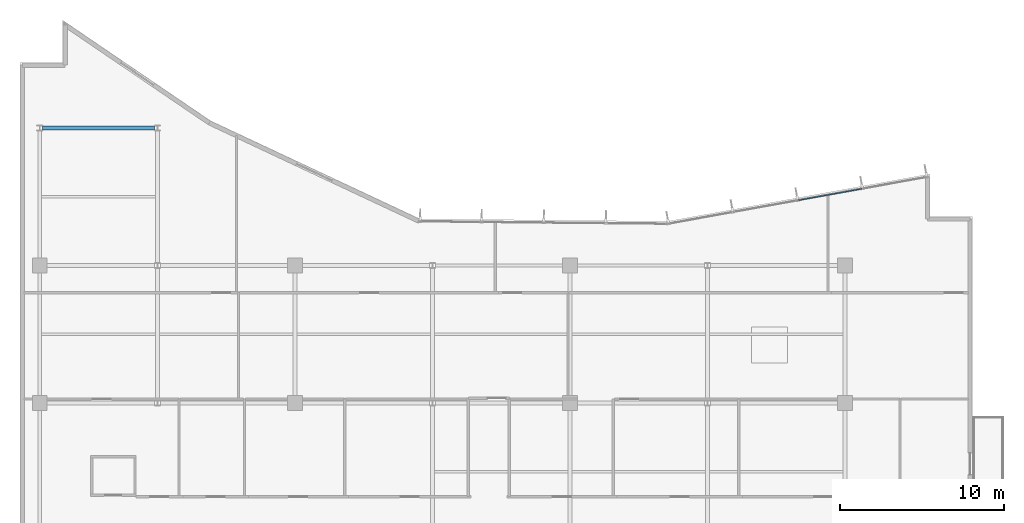
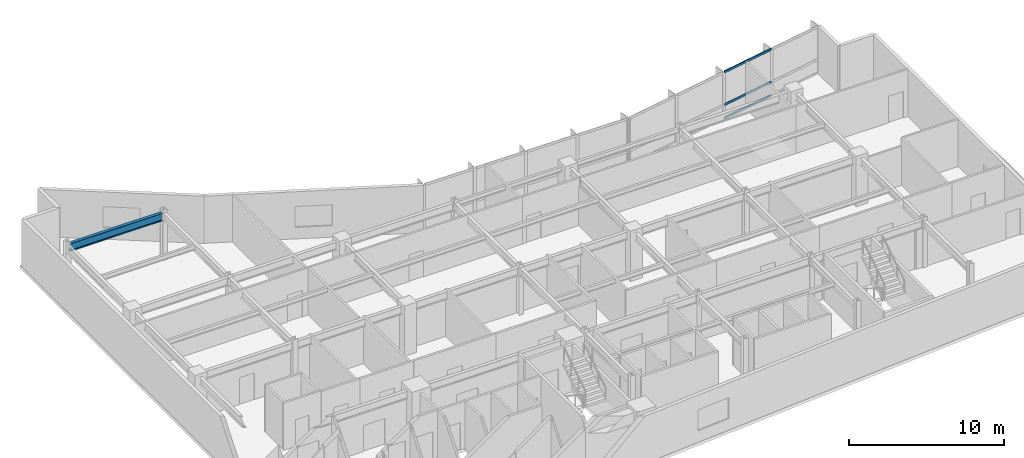
# One storey, part 7 of 18: 3 members, 1 beam, 1 element without a shape of its own.
"""IFC4 building model written with IfcOpenShell, lengths in metres."""

from ifc_helpers import new_model, si_unit, direction, frame, origin, origin_2d, place, context, subcontext, project, spatial, hollow_rectangle, i_section, extrude, material, layer, layer_set, material_profile, profile_set, type_object, element, aggregate, save


model = new_model("IFC4")

# Units and contexts
model_context = context("Model", 3, precision=1e-05, world=origin(), true_north=direction((0.0, 1.0)))
body_context = subcontext(model_context, "Body", "Model", "MODEL_VIEW")
ifc_project = project(units=[si_unit("LENGTHUNIT", "METRE"), si_unit("AREAUNIT", "SQUARE_METRE"), si_unit("VOLUMEUNIT", "CUBIC_METRE"), si_unit("PLANEANGLEUNIT", "RADIAN"), si_unit("MASSUNIT", "GRAM", prefix="KILO")], contexts=[model_context])

# Site, building, storey
site_placement = place(None, origin())
site = spatial("IfcSite", under=ifc_project, at=site_placement, CompositionType="ELEMENT")
building_placement = place(site_placement, origin())
building = spatial("IfcBuilding", under=site, at=building_placement, Name="Varnakote Quay Hospital", CompositionType="ELEMENT")
storey_placement = place(building_placement, frame((0.0, 0.0, 30.39990234375)))
storey = spatial("IfcBuildingStorey", under=building, at=storey_placement, Name="L07", CompositionType="ELEMENT", Elevation=30.39990234375)

# Beam
ifc_material_1 = material(Name="Structural steel AS/NZS 3679.1 Grade 350 L0 (fy 340 MPa)", Category="steel")
ifc_material_profile_1 = material_profile(ifc_material_1, i_section(OverallWidth=0.22900390625, OverallDepth=0.612060546875, WebThickness=0.011962890625, FlangeThickness=0.01953125, FilletRadius=0.013916015625, at=origin_2d()), Name="610UB125")
ifc_profile_set_1 = profile_set([ifc_material_profile_1], Name="Structural steel AS/NZS 3679.1 Grade 350 L0 (fy 340 MPa)")
beam_type = type_object("IfcBeamType", Name="BM-STL-610UB125", PredefinedType="BEAM", material=ifc_profile_set_1)
beam_placement = place(storey_placement, frame((1.375, 37.199951171875, 3.404052734375), z_axis=(1.0, 0.0, 0.0), x_axis=(0.0, 1.0, 0.0)))
element("IfcBeam", 1, at=beam_placement, inside=storey, type_object=beam_type, Name="L07 Primary Floor Beam", PredefinedType="BEAM", context=body_context, shape_type="SweptSolid", body=[
    extrude(i_section(OverallWidth=0.22900390625, OverallDepth=0.612060546875, WebThickness=0.011962890625, FlangeThickness=0.01953125, FilletRadius=0.013916015625, at=origin_2d()), origin(), (0.0, 0.0, 1.0), 6.85009765625),
])

# Curtain wall, members
ifc_material_2 = material(Name="Anodised aluminium 6063-T6 Bronze", Category="aluminium")
ifc_layer = layer(ifc_material_2, 0.18994140625)
ifc_layer_set = layer_set([ifc_layer], Name="Anodised aluminium 6063-T6 Bronze")
curtain_wall_type = type_object("IfcCurtainWallType", Name="CW-SYS-2", PredefinedType="NOTDEFINED", material=ifc_layer_set)
curtain_wall_placement = place(storey_placement, origin())
curtain_wall = element("IfcCurtainWall", 2, at=curtain_wall_placement, inside=storey, type_object=curtain_wall_type, Name="L07 Unitised Bronze Curtain Wall 1", PredefinedType="NOTDEFINED")
ifc_material_3 = material(Name="Anodised aluminium 6063-T6 Bronze", Category="aluminium")
ifc_material_profile_2 = material_profile(ifc_material_3, hollow_rectangle(XDim=0.074951171875, YDim=0.179931640625, WallThickness=0.004150390625, InnerFilletRadius=0.004150390625, OuterFilletRadius=0.00830078125, at=origin_2d()), Name="CW-TRAN-180x75")
ifc_profile_set_2 = profile_set([ifc_material_profile_2], Name="Anodised aluminium 6063-T6 Bronze")
member_type = type_object("IfcMemberType", Name="CW-TRAN-180x75", PredefinedType="USERDEFINED", material=ifc_profile_set_2)
member_1_placement = place(storey_placement, frame((51.4404296875, 33.485595703125, 0.03759765625), z_axis=(-0.984065046829, -0.177808840079, 0.0), x_axis=(0.177808840079, -0.984065046829, 0.0)))
member_1 = element("IfcMember", 3, at=member_1_placement, type_object=member_type, Name="-2-L07-1 transom 2.1", ObjectType="TRANSOM", PredefinedType="USERDEFINED", context=body_context, shape_type="SweptSolid", body=[
    extrude(hollow_rectangle(XDim=0.074951171875, YDim=0.179931640625, WallThickness=0.004150390625, InnerFilletRadius=0.004150390625, OuterFilletRadius=0.00830078125, at=origin_2d()), origin(), (0.0, 0.0, 1.0), 3.95166015625),
])
member_2_placement = place(storey_placement, frame((51.4404296875, 33.485595703125, 1.10009765625), z_axis=(-0.984065046829, -0.177808840079, 0.0), x_axis=(0.177808840079, -0.984065046829, 0.0)))
member_2 = element("IfcMember", 4, at=member_2_placement, type_object=member_type, Name="-2-L07-1 transom 2.2", ObjectType="TRANSOM", PredefinedType="USERDEFINED", context=body_context, shape_type="SweptSolid", body=[
    extrude(hollow_rectangle(XDim=0.074951171875, YDim=0.179931640625, WallThickness=0.004150390625, InnerFilletRadius=0.004150390625, OuterFilletRadius=0.00830078125, at=origin_2d()), origin(), (0.0, 0.0, 1.0), 3.95166015625),
])
member_3_placement = place(storey_placement, frame((51.4404296875, 33.485595703125, 3.672607421875), z_axis=(-0.984065046829, -0.177808840079, 0.0), x_axis=(0.177808840079, -0.984065046829, 0.0)))
member_3 = element("IfcMember", 5, at=member_3_placement, type_object=member_type, Name="-2-L07-1 transom 2.3", ObjectType="TRANSOM", PredefinedType="USERDEFINED", context=body_context, shape_type="SweptSolid", body=[
    extrude(hollow_rectangle(XDim=0.074951171875, YDim=0.179931640625, WallThickness=0.004150390625, InnerFilletRadius=0.004150390625, OuterFilletRadius=0.00830078125, at=origin_2d()), origin(), (0.0, 0.0, 1.0), 3.95166015625),
])
aggregate(curtain_wall, [member_1, member_2, member_3])

save(model, "model.ifc")
